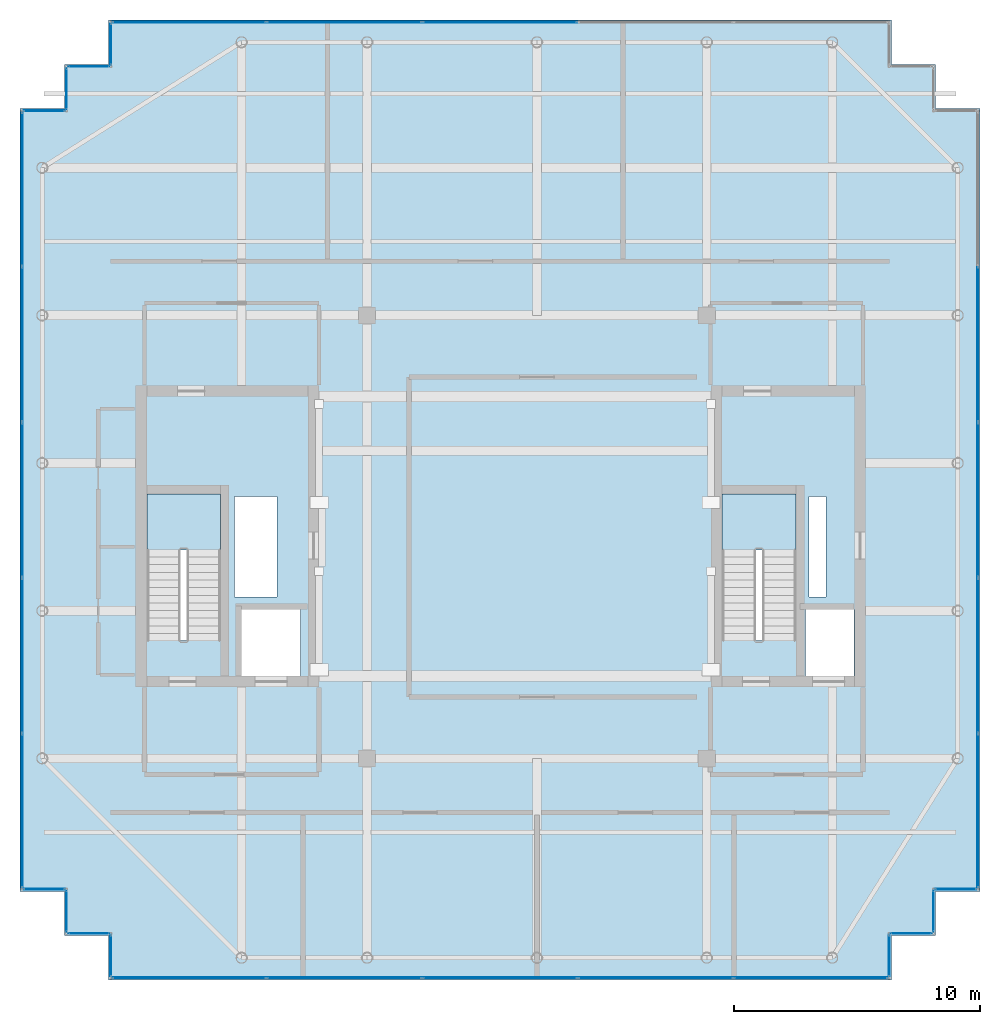
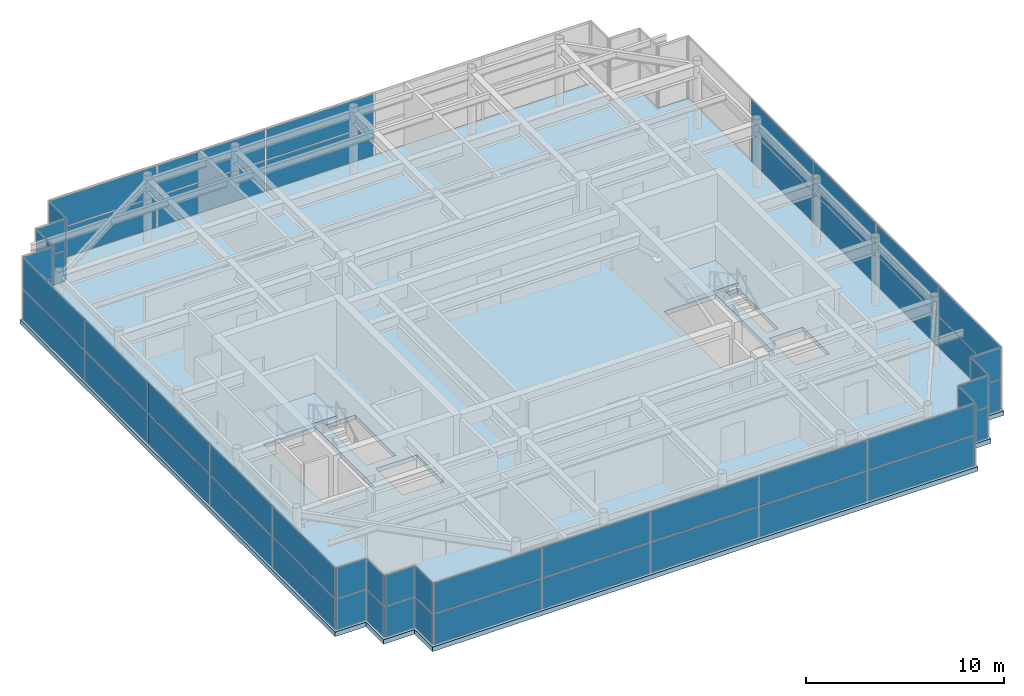
# One storey, part 29 of 32: 58 plates, 3 slabs, 18 elements without a shape of their own.
"""IFC4 building model written with IfcOpenShell, lengths in metres."""

from ifc_helpers import new_model, si_unit, direction, frame, origin, origin_2d, place, context, subcontext, project, spatial, polyline, rectangle, outline, extrude, source, transform, mapped, material, layer, layer_set, type_object, element, aggregate, save


model = new_model("IFC4")

# Units and contexts
model_context = context("Model", 3, precision=1e-05, world=origin(), true_north=direction((0.0, 1.0)))
body_context = subcontext(model_context, "Body", "Model", "MODEL_VIEW")
ifc_project = project(units=[si_unit("LENGTHUNIT", "METRE"), si_unit("AREAUNIT", "SQUARE_METRE"), si_unit("VOLUMEUNIT", "CUBIC_METRE"), si_unit("PLANEANGLEUNIT", "RADIAN"), si_unit("MASSUNIT", "GRAM", prefix="KILO")], contexts=[model_context])

# Site, building, storey
site_placement = place(None, origin())
site = spatial("IfcSite", under=ifc_project, at=site_placement, CompositionType="ELEMENT")
building_placement = place(site_placement, origin())
building = spatial("IfcBuilding", under=site, at=building_placement, Name="Khoralis Quay Care Tower", CompositionType="ELEMENT")
storey_placement = place(building_placement, frame((0.0, 0.0, 310.5)))
storey = spatial("IfcBuildingStorey", under=building, at=storey_placement, Name="L81", CompositionType="ELEMENT", Elevation=310.5)

# Stair, slab
ifc_material_1 = material(Name="Precast concrete C45/55", Category="concrete")
stair_type = type_object("IfcStairType", Name="ST-TWR-DOGLEG-1400", PredefinedType="HALF_TURN_STAIR", material=ifc_material_1)
stair_1_placement = place(storey_placement, origin())
stair_1 = element("IfcStair", 1, at=stair_1_placement, inside=storey, type_object=stair_type, Name="L81 West Core Exit Stair ST-T1", PredefinedType="HALF_TURN_STAIR")
ifc_layer_1 = layer(ifc_material_1, 0.199951171875)
ifc_layer_set_1 = layer_set([ifc_layer_1], Name="Precast concrete C45/55")
slab_type_1 = type_object("IfcSlabType", Name="SLB-LANDING-200", PredefinedType="LANDING", material=ifc_layer_set_1)
slab_1_placement = place(storey_placement, frame((0.0, 0.0, 1.89990234375)))
slab_1 = element("IfcSlab", 2, at=slab_1_placement, type_object=slab_type_1, Name="ST-T1 landing 1", PredefinedType="LANDING", context=body_context, shape_type="SweptSolid", body=[
    extrude(outline(polyline([(11.14990234375, 20.4599609375), (11.14990234375, 22.75), (8.14990234375, 22.75), (8.14990234375, 20.4599609375), (11.14990234375, 20.4599609375)])), origin(), (0.0, 0.0, 1.0), 0.2001953125),
])
aggregate(stair_1, [slab_1])

stair_2_placement = place(storey_placement, origin())
stair_2 = element("IfcStair", 3, at=stair_2_placement, inside=storey, type_object=stair_type, Name="L81 East Core Exit Stair ST-T2", PredefinedType="HALF_TURN_STAIR")
slab_2_placement = place(storey_placement, frame((0.0, 0.0, 1.89990234375)))
slab_2 = element("IfcSlab", 4, at=slab_2_placement, type_object=slab_type_1, Name="ST-T2 landing 1", PredefinedType="LANDING", context=body_context, shape_type="SweptSolid", body=[
    extrude(outline(polyline([(34.52001953125, 20.4599609375), (34.52001953125, 22.75), (31.52001953125, 22.75), (31.52001953125, 20.4599609375), (34.52001953125, 20.4599609375)])), origin(), (0.0, 0.0, 1.0), 0.2001953125),
])
aggregate(stair_2, [slab_2])

# Slab
ifc_material_2 = material(Name="Concrete C40/50", Category="concrete")
ifc_layer_2 = layer(ifc_material_2, 0.280029296875)
ifc_layer_set_2 = layer_set([ifc_layer_2], Name="Concrete C40/50")
slab_type_2 = type_object("IfcSlabType", Name="SLB-TWR-280", PredefinedType="FLOOR", material=ifc_layer_set_2)
slab_3_placement = place(storey_placement, frame((0.0, 0.0, -0.280029296875)))
element("IfcSlab", 5, at=slab_3_placement, inside=storey, type_object=slab_type_2, Name="Tower Floor Slab L81", PredefinedType="FLOOR", context=body_context, shape_type="SweptSolid", body=[
    extrude(outline(polyline([(6.60009765625, 3.0), (38.39990234375, 3.0), (38.39990234375, 4.800048828125), (40.199951171875, 4.800048828125), (40.199951171875, 6.60009765625), (42.0, 6.60009765625), (42.0, 38.39990234375), (40.199951171875, 38.39990234375), (40.199951171875, 40.199951171875), (38.39990234375, 40.199951171875), (38.39990234375, 42.0), (6.60009765625, 42.0), (6.60009765625, 40.199951171875), (4.800048828125, 40.199951171875), (4.800048828125, 38.39990234375), (3.0, 38.39990234375), (3.0, 6.60009765625), (4.800048828125, 6.60009765625), (4.800048828125, 4.800048828125), (6.60009765625, 4.800048828125), (6.60009765625, 3.0)]), holes=[polyline([(11.14990234375, 16.800048828125), (11.14990234375, 22.75), (8.14990234375, 22.75), (8.14990234375, 16.800048828125), (11.14990234375, 16.800048828125)]), polyline([(34.52001953125, 16.800048828125), (34.52001953125, 22.75), (31.52001953125, 22.75), (31.52001953125, 16.800048828125), (34.52001953125, 16.800048828125)]), polyline([(12.0, 15.35009765625), (14.39990234375, 15.35009765625), (14.39990234375, 18.050048828125), (12.0, 18.050048828125), (12.0, 15.35009765625)]), polyline([(34.919921875, 15.35009765625), (36.8798828125, 15.35009765625), (36.8798828125, 18.050048828125), (34.919921875, 18.050048828125), (34.919921875, 15.35009765625)]), polyline([(11.719970703125, 18.550048828125), (13.449951171875, 18.550048828125), (13.449951171875, 22.64990234375), (11.719970703125, 22.64990234375), (11.719970703125, 18.550048828125)]), polyline([(35.050048828125, 18.550048828125), (35.75, 18.550048828125), (35.75, 22.64990234375), (35.050048828125, 22.64990234375), (35.050048828125, 18.550048828125)])]), origin(), (0.0, 0.0, 1.0), 0.280029296875),
])

# Curtain wall, plates
ifc_material_3 = material(Name="Pale anodised aluminium", Category="aluminium")
ifc_layer_3 = layer(ifc_material_3, 0.199951171875)
ifc_layer_set_3 = layer_set([ifc_layer_3], Name="Pale anodised aluminium")
curtain_wall_type = type_object("IfcCurtainWallType", Name="CW-SYS-LANTERN", PredefinedType="NOTDEFINED", material=ifc_layer_set_3)
curtain_wall_1_placement = place(storey_placement, origin())
curtain_wall_1 = element("IfcCurtainWall", 6, at=curtain_wall_1_placement, inside=storey, type_object=curtain_wall_type, Name="L81 Unitised Curtain Wall CW-LN-L81-01", PredefinedType="NOTDEFINED")
ifc_material_4 = material(Name="Low-iron clear lantern glazing", Category="glass")
ifc_layer_4 = layer(ifc_material_4, 0.035888671875)
ifc_layer_set_4 = layer_set([ifc_layer_4], Name="Low-iron clear lantern glazing")
plate_type = type_object("IfcPlateType", Name="PNL-LNT-36", PredefinedType="CURTAIN_PANEL", material=ifc_layer_set_4)
shared_shape_1 = source(origin(), body_context, "Body", "SweptSolid", [
    extrude(rectangle(XDim=6.23388671875, YDim=0.028076171875, at=origin_2d()), origin(), (0.0, 0.0, 1.0), 1.8701171875),
])
plate_1_placement = place(storey_placement, frame((9.866943359375, 3.090087890625, 0.06005859375), z_axis=(0.0, 0.0, 1.0), x_axis=(1.0, 0.0, 0.0)))
plate_1 = element("IfcPlate", 7, at=plate_1_placement, type_object=plate_type, Name="CW5 panel 1.1", PredefinedType="CURTAIN_PANEL", context=body_context, shape_type="MappedRepresentation", body=[
    mapped(shared_shape_1, transform((0.0, 0.0, 0.0), scale=1.0)),
])
plate_2_placement = place(storey_placement, frame((9.866943359375, 3.090087890625, 1.989990234375), z_axis=(0.0, 0.0, 1.0), x_axis=(1.0, 0.0, 0.0)))
plate_2 = element("IfcPlate", 8, at=plate_2_placement, type_object=plate_type, Name="CW5 panel 1.2", PredefinedType="CURTAIN_PANEL", context=body_context, shape_type="MappedRepresentation", body=[
    mapped(shared_shape_1, transform((0.0, 0.0, 0.0), scale=1.0)),
])
plate_3_placement = place(storey_placement, frame((35.133056640625, 3.090087890625, 0.06005859375), z_axis=(0.0, 0.0, 1.0), x_axis=(1.0, 0.0, 0.0)))
plate_3 = element("IfcPlate", 9, at=plate_3_placement, type_object=plate_type, Name="CW5 panel 5.1", PredefinedType="CURTAIN_PANEL", context=body_context, shape_type="MappedRepresentation", body=[
    mapped(shared_shape_1, transform((0.0, 0.0, 0.0), scale=1.0)),
])
plate_4_placement = place(storey_placement, frame((35.133056640625, 3.090087890625, 1.989990234375), z_axis=(0.0, 0.0, 1.0), x_axis=(1.0, 0.0, 0.0)))
plate_4 = element("IfcPlate", 10, at=plate_4_placement, type_object=plate_type, Name="CW5 panel 5.2", PredefinedType="CURTAIN_PANEL", context=body_context, shape_type="MappedRepresentation", body=[
    mapped(shared_shape_1, transform((0.0, 0.0, 0.0), scale=1.0)),
])

curtain_wall_2_placement = place(storey_placement, origin())
curtain_wall_2 = element("IfcCurtainWall", 11, at=curtain_wall_2_placement, inside=storey, type_object=curtain_wall_type, Name="L81 Unitised Curtain Wall CW-LN-L81-06", PredefinedType="NOTDEFINED")
plate_5_placement = place(storey_placement, frame((41.909912109375, 9.866943359375, 0.06005859375), z_axis=(0.0, 0.0, 1.0), x_axis=(0.0, 1.0, 0.0)))
plate_5 = element("IfcPlate", 12, at=plate_5_placement, type_object=plate_type, Name="CW5 panel 1.1", PredefinedType="CURTAIN_PANEL", context=body_context, shape_type="MappedRepresentation", body=[
    mapped(shared_shape_1, transform((0.0, 0.0, 0.0), scale=1.0)),
])
plate_6_placement = place(storey_placement, frame((41.909912109375, 9.866943359375, 1.989990234375), z_axis=(0.0, 0.0, 1.0), x_axis=(0.0, 1.0, 0.0)))
plate_6 = element("IfcPlate", 13, at=plate_6_placement, type_object=plate_type, Name="CW5 panel 1.2", PredefinedType="CURTAIN_PANEL", context=body_context, shape_type="MappedRepresentation", body=[
    mapped(shared_shape_1, transform((0.0, 0.0, 0.0), scale=1.0)),
])

curtain_wall_3_placement = place(storey_placement, origin())
curtain_wall_3 = element("IfcCurtainWall", 14, at=curtain_wall_3_placement, inside=storey, type_object=curtain_wall_type, Name="L81 Unitised Curtain Wall CW-LN-L81-11", PredefinedType="NOTDEFINED")
plate_7_placement = place(storey_placement, frame((9.866943359375, 41.909912109375, 0.06005859375), z_axis=(0.0, 0.0, 1.0), x_axis=(-1.0, 0.0, 0.0)))
plate_7 = element("IfcPlate", 15, at=plate_7_placement, type_object=plate_type, Name="CW5 panel 5.1", PredefinedType="CURTAIN_PANEL", context=body_context, shape_type="MappedRepresentation", body=[
    mapped(shared_shape_1, transform((0.0, 0.0, 0.0), scale=1.0)),
])
plate_8_placement = place(storey_placement, frame((9.866943359375, 41.909912109375, 1.989990234375), z_axis=(0.0, 0.0, 1.0), x_axis=(-1.0, 0.0, 0.0)))
plate_8 = element("IfcPlate", 16, at=plate_8_placement, type_object=plate_type, Name="CW5 panel 5.2", PredefinedType="CURTAIN_PANEL", context=body_context, shape_type="MappedRepresentation", body=[
    mapped(shared_shape_1, transform((0.0, 0.0, 0.0), scale=1.0)),
])

curtain_wall_4_placement = place(storey_placement, origin())
curtain_wall_4 = element("IfcCurtainWall", 17, at=curtain_wall_4_placement, inside=storey, type_object=curtain_wall_type, Name="L81 Unitised Curtain Wall CW-LN-L81-16", PredefinedType="NOTDEFINED")
plate_9_placement = place(storey_placement, frame((3.090087890625, 35.133056640625, 0.06005859375), z_axis=(0.0, 0.0, 1.0), x_axis=(0.0, -1.0, 0.0)))
plate_9 = element("IfcPlate", 18, at=plate_9_placement, type_object=plate_type, Name="CW5 panel 1.1", PredefinedType="CURTAIN_PANEL", context=body_context, shape_type="MappedRepresentation", body=[
    mapped(shared_shape_1, transform((0.0, 0.0, 0.0), scale=1.0)),
])
plate_10_placement = place(storey_placement, frame((3.090087890625, 35.133056640625, 1.989990234375), z_axis=(0.0, 0.0, 1.0), x_axis=(0.0, -1.0, 0.0)))
plate_10 = element("IfcPlate", 19, at=plate_10_placement, type_object=plate_type, Name="CW5 panel 1.2", PredefinedType="CURTAIN_PANEL", context=body_context, shape_type="MappedRepresentation", body=[
    mapped(shared_shape_1, transform((0.0, 0.0, 0.0), scale=1.0)),
])
plate_11_placement = place(storey_placement, frame((3.090087890625, 9.866943359375, 0.06005859375), z_axis=(0.0, 0.0, 1.0), x_axis=(0.0, -1.0, 0.0)))
plate_11 = element("IfcPlate", 20, at=plate_11_placement, type_object=plate_type, Name="CW5 panel 5.1", PredefinedType="CURTAIN_PANEL", context=body_context, shape_type="MappedRepresentation", body=[
    mapped(shared_shape_1, transform((0.0, 0.0, 0.0), scale=1.0)),
])
plate_12_placement = place(storey_placement, frame((3.090087890625, 9.866943359375, 1.989990234375), z_axis=(0.0, 0.0, 1.0), x_axis=(0.0, -1.0, 0.0)))
plate_12 = element("IfcPlate", 21, at=plate_12_placement, type_object=plate_type, Name="CW5 panel 5.2", PredefinedType="CURTAIN_PANEL", context=body_context, shape_type="MappedRepresentation", body=[
    mapped(shared_shape_1, transform((0.0, 0.0, 0.0), scale=1.0)),
])

# Plate
shared_shape_2 = source(origin(), body_context, "Body", "SweptSolid", [
    extrude(rectangle(XDim=6.263916015625, YDim=0.028076171875, at=origin_2d()), origin(), (0.0, 0.0, 1.0), 1.8701171875),
])
plate_13_placement = place(storey_placement, frame((16.176025390625, 3.090087890625, 0.06005859375), z_axis=(0.0, 0.0, 1.0), x_axis=(1.0, 0.0, 0.0)))
plate_13 = element("IfcPlate", 22, at=plate_13_placement, type_object=plate_type, Name="CW5 panel 2.1", PredefinedType="CURTAIN_PANEL", context=body_context, shape_type="MappedRepresentation", body=[
    mapped(shared_shape_2, transform((0.0, 0.0, 0.0), scale=1.0)),
])

plate_14_placement = place(storey_placement, frame((16.176025390625, 3.090087890625, 1.989990234375), z_axis=(0.0, 0.0, 1.0), x_axis=(1.0, 0.0, 0.0)))
plate_14 = element("IfcPlate", 23, at=plate_14_placement, type_object=plate_type, Name="CW5 panel 2.2", PredefinedType="CURTAIN_PANEL", context=body_context, shape_type="MappedRepresentation", body=[
    mapped(shared_shape_2, transform((0.0, 0.0, 0.0), scale=1.0)),
])

plate_15_placement = place(storey_placement, frame((22.5, 3.090087890625, 0.06005859375), z_axis=(0.0, 0.0, 1.0), x_axis=(1.0, 0.0, 0.0)))
plate_15 = element("IfcPlate", 24, at=plate_15_placement, type_object=plate_type, Name="CW5 panel 3.1", PredefinedType="CURTAIN_PANEL", context=body_context, shape_type="MappedRepresentation", body=[
    mapped(shared_shape_2, transform((0.0, 0.0, 0.0), scale=1.0)),
])

plate_16_placement = place(storey_placement, frame((22.5, 3.090087890625, 1.989990234375), z_axis=(0.0, 0.0, 1.0), x_axis=(1.0, 0.0, 0.0)))
plate_16 = element("IfcPlate", 25, at=plate_16_placement, type_object=plate_type, Name="CW5 panel 3.2", PredefinedType="CURTAIN_PANEL", context=body_context, shape_type="MappedRepresentation", body=[
    mapped(shared_shape_2, transform((0.0, 0.0, 0.0), scale=1.0)),
])

plate_17_placement = place(storey_placement, frame((28.823974609375, 3.090087890625, 0.06005859375), z_axis=(0.0, 0.0, 1.0), x_axis=(1.0, 0.0, 0.0)))
plate_17 = element("IfcPlate", 26, at=plate_17_placement, type_object=plate_type, Name="CW5 panel 4.1", PredefinedType="CURTAIN_PANEL", context=body_context, shape_type="MappedRepresentation", body=[
    mapped(shared_shape_2, transform((0.0, 0.0, 0.0), scale=1.0)),
])

plate_18_placement = place(storey_placement, frame((28.823974609375, 3.090087890625, 1.989990234375), z_axis=(0.0, 0.0, 1.0), x_axis=(1.0, 0.0, 0.0)))
plate_18 = element("IfcPlate", 27, at=plate_18_placement, type_object=plate_type, Name="CW5 panel 4.2", PredefinedType="CURTAIN_PANEL", context=body_context, shape_type="MappedRepresentation", body=[
    mapped(shared_shape_2, transform((0.0, 0.0, 0.0), scale=1.0)),
])

aggregate(curtain_wall_1, [plate_1, plate_2, plate_13, plate_14, plate_15, plate_16, plate_17, plate_18, plate_3, plate_4])

plate_19_placement = place(storey_placement, frame((41.909912109375, 16.176025390625, 0.06005859375), z_axis=(0.0, 0.0, 1.0), x_axis=(0.0, 1.0, 0.0)))
plate_19 = element("IfcPlate", 28, at=plate_19_placement, type_object=plate_type, Name="CW5 panel 2.1", PredefinedType="CURTAIN_PANEL", context=body_context, shape_type="MappedRepresentation", body=[
    mapped(shared_shape_2, transform((0.0, 0.0, 0.0), scale=1.0)),
])

plate_20_placement = place(storey_placement, frame((41.909912109375, 16.176025390625, 1.989990234375), z_axis=(0.0, 0.0, 1.0), x_axis=(0.0, 1.0, 0.0)))
plate_20 = element("IfcPlate", 29, at=plate_20_placement, type_object=plate_type, Name="CW5 panel 2.2", PredefinedType="CURTAIN_PANEL", context=body_context, shape_type="MappedRepresentation", body=[
    mapped(shared_shape_2, transform((0.0, 0.0, 0.0), scale=1.0)),
])

plate_21_placement = place(storey_placement, frame((41.909912109375, 22.5, 0.06005859375), z_axis=(0.0, 0.0, 1.0), x_axis=(0.0, 1.0, 0.0)))
plate_21 = element("IfcPlate", 30, at=plate_21_placement, type_object=plate_type, Name="CW5 panel 3.1", PredefinedType="CURTAIN_PANEL", context=body_context, shape_type="MappedRepresentation", body=[
    mapped(shared_shape_2, transform((0.0, 0.0, 0.0), scale=1.0)),
])

plate_22_placement = place(storey_placement, frame((41.909912109375, 22.5, 1.989990234375), z_axis=(0.0, 0.0, 1.0), x_axis=(0.0, 1.0, 0.0)))
plate_22 = element("IfcPlate", 31, at=plate_22_placement, type_object=plate_type, Name="CW5 panel 3.2", PredefinedType="CURTAIN_PANEL", context=body_context, shape_type="MappedRepresentation", body=[
    mapped(shared_shape_2, transform((0.0, 0.0, 0.0), scale=1.0)),
])

plate_23_placement = place(storey_placement, frame((41.909912109375, 28.823974609375, 0.06005859375), z_axis=(0.0, 0.0, 1.0), x_axis=(0.0, 1.0, 0.0)))
plate_23 = element("IfcPlate", 32, at=plate_23_placement, type_object=plate_type, Name="CW5 panel 4.1", PredefinedType="CURTAIN_PANEL", context=body_context, shape_type="MappedRepresentation", body=[
    mapped(shared_shape_2, transform((0.0, 0.0, 0.0), scale=1.0)),
])

plate_24_placement = place(storey_placement, frame((41.909912109375, 28.823974609375, 1.989990234375), z_axis=(0.0, 0.0, 1.0), x_axis=(0.0, 1.0, 0.0)))
plate_24 = element("IfcPlate", 33, at=plate_24_placement, type_object=plate_type, Name="CW5 panel 4.2", PredefinedType="CURTAIN_PANEL", context=body_context, shape_type="MappedRepresentation", body=[
    mapped(shared_shape_2, transform((0.0, 0.0, 0.0), scale=1.0)),
])

aggregate(curtain_wall_2, [plate_5, plate_6, plate_19, plate_20, plate_21, plate_22, plate_23, plate_24])

plate_25_placement = place(storey_placement, frame((22.5, 41.909912109375, 0.06005859375), z_axis=(0.0, 0.0, 1.0), x_axis=(-1.0, 0.0, 0.0)))
plate_25 = element("IfcPlate", 34, at=plate_25_placement, type_object=plate_type, Name="CW5 panel 3.1", PredefinedType="CURTAIN_PANEL", context=body_context, shape_type="MappedRepresentation", body=[
    mapped(shared_shape_2, transform((0.0, 0.0, 0.0), scale=1.0)),
])

plate_26_placement = place(storey_placement, frame((22.5, 41.909912109375, 1.989990234375), z_axis=(0.0, 0.0, 1.0), x_axis=(-1.0, 0.0, 0.0)))
plate_26 = element("IfcPlate", 35, at=plate_26_placement, type_object=plate_type, Name="CW5 panel 3.2", PredefinedType="CURTAIN_PANEL", context=body_context, shape_type="MappedRepresentation", body=[
    mapped(shared_shape_2, transform((0.0, 0.0, 0.0), scale=1.0)),
])

plate_27_placement = place(storey_placement, frame((16.176025390625, 41.909912109375, 0.06005859375), z_axis=(0.0, 0.0, 1.0), x_axis=(-1.0, 0.0, 0.0)))
plate_27 = element("IfcPlate", 36, at=plate_27_placement, type_object=plate_type, Name="CW5 panel 4.1", PredefinedType="CURTAIN_PANEL", context=body_context, shape_type="MappedRepresentation", body=[
    mapped(shared_shape_2, transform((0.0, 0.0, 0.0), scale=1.0)),
])

plate_28_placement = place(storey_placement, frame((16.176025390625, 41.909912109375, 1.989990234375), z_axis=(0.0, 0.0, 1.0), x_axis=(-1.0, 0.0, 0.0)))
plate_28 = element("IfcPlate", 37, at=plate_28_placement, type_object=plate_type, Name="CW5 panel 4.2", PredefinedType="CURTAIN_PANEL", context=body_context, shape_type="MappedRepresentation", body=[
    mapped(shared_shape_2, transform((0.0, 0.0, 0.0), scale=1.0)),
])

aggregate(curtain_wall_3, [plate_25, plate_26, plate_27, plate_28, plate_7, plate_8])

plate_29_placement = place(storey_placement, frame((3.090087890625, 28.823974609375, 0.06005859375), z_axis=(0.0, 0.0, 1.0), x_axis=(0.0, -1.0, 0.0)))
plate_29 = element("IfcPlate", 38, at=plate_29_placement, type_object=plate_type, Name="CW5 panel 2.1", PredefinedType="CURTAIN_PANEL", context=body_context, shape_type="MappedRepresentation", body=[
    mapped(shared_shape_2, transform((0.0, 0.0, 0.0), scale=1.0)),
])

plate_30_placement = place(storey_placement, frame((3.090087890625, 28.823974609375, 1.989990234375), z_axis=(0.0, 0.0, 1.0), x_axis=(0.0, -1.0, 0.0)))
plate_30 = element("IfcPlate", 39, at=plate_30_placement, type_object=plate_type, Name="CW5 panel 2.2", PredefinedType="CURTAIN_PANEL", context=body_context, shape_type="MappedRepresentation", body=[
    mapped(shared_shape_2, transform((0.0, 0.0, 0.0), scale=1.0)),
])

plate_31_placement = place(storey_placement, frame((3.090087890625, 22.5, 0.06005859375), z_axis=(0.0, 0.0, 1.0), x_axis=(0.0, -1.0, 0.0)))
plate_31 = element("IfcPlate", 40, at=plate_31_placement, type_object=plate_type, Name="CW5 panel 3.1", PredefinedType="CURTAIN_PANEL", context=body_context, shape_type="MappedRepresentation", body=[
    mapped(shared_shape_2, transform((0.0, 0.0, 0.0), scale=1.0)),
])

plate_32_placement = place(storey_placement, frame((3.090087890625, 22.5, 1.989990234375), z_axis=(0.0, 0.0, 1.0), x_axis=(0.0, -1.0, 0.0)))
plate_32 = element("IfcPlate", 41, at=plate_32_placement, type_object=plate_type, Name="CW5 panel 3.2", PredefinedType="CURTAIN_PANEL", context=body_context, shape_type="MappedRepresentation", body=[
    mapped(shared_shape_2, transform((0.0, 0.0, 0.0), scale=1.0)),
])

plate_33_placement = place(storey_placement, frame((3.090087890625, 16.176025390625, 0.06005859375), z_axis=(0.0, 0.0, 1.0), x_axis=(0.0, -1.0, 0.0)))
plate_33 = element("IfcPlate", 42, at=plate_33_placement, type_object=plate_type, Name="CW5 panel 4.1", PredefinedType="CURTAIN_PANEL", context=body_context, shape_type="MappedRepresentation", body=[
    mapped(shared_shape_2, transform((0.0, 0.0, 0.0), scale=1.0)),
])

plate_34_placement = place(storey_placement, frame((3.090087890625, 16.176025390625, 1.989990234375), z_axis=(0.0, 0.0, 1.0), x_axis=(0.0, -1.0, 0.0)))
plate_34 = element("IfcPlate", 43, at=plate_34_placement, type_object=plate_type, Name="CW5 panel 4.2", PredefinedType="CURTAIN_PANEL", context=body_context, shape_type="MappedRepresentation", body=[
    mapped(shared_shape_2, transform((0.0, 0.0, 0.0), scale=1.0)),
])

aggregate(curtain_wall_4, [plate_9, plate_10, plate_29, plate_30, plate_31, plate_32, plate_33, plate_34, plate_11, plate_12])

# Curtain wall, plates
curtain_wall_5_placement = place(storey_placement, origin())
curtain_wall_5 = element("IfcCurtainWall", 44, at=curtain_wall_5_placement, inside=storey, type_object=curtain_wall_type, Name="L81 Unitised Curtain Wall CW-LN-L81-02", PredefinedType="NOTDEFINED")
shared_shape_3 = source(origin(), body_context, "Body", "SweptSolid", [
    extrude(rectangle(XDim=1.679931640625, YDim=0.028076171875, at=origin_2d()), origin(), (0.0, 0.0, 1.0), 1.8701171875),
])
plate_35_placement = place(storey_placement, frame((38.31005859375, 3.989990234375, 0.06005859375), z_axis=(0.0, 0.0, 1.0), x_axis=(0.0, 1.0, 0.0)))
plate_35 = element("IfcPlate", 45, at=plate_35_placement, type_object=plate_type, Name="CW5 panel 1.1", PredefinedType="CURTAIN_PANEL", context=body_context, shape_type="MappedRepresentation", body=[
    mapped(shared_shape_3, transform((0.0, 0.0, 0.0), scale=1.0)),
])
plate_36_placement = place(storey_placement, frame((38.31005859375, 3.989990234375, 1.989990234375), z_axis=(0.0, 0.0, 1.0), x_axis=(0.0, 1.0, 0.0)))
plate_36 = element("IfcPlate", 46, at=plate_36_placement, type_object=plate_type, Name="CW5 panel 1.2", PredefinedType="CURTAIN_PANEL", context=body_context, shape_type="MappedRepresentation", body=[
    mapped(shared_shape_3, transform((0.0, 0.0, 0.0), scale=1.0)),
])
aggregate(curtain_wall_5, [plate_35, plate_36])

curtain_wall_6_placement = place(storey_placement, origin())
curtain_wall_6 = element("IfcCurtainWall", 47, at=curtain_wall_6_placement, inside=storey, type_object=curtain_wall_type, Name="L81 Unitised Curtain Wall CW-LN-L81-03", PredefinedType="NOTDEFINED")
plate_37_placement = place(storey_placement, frame((39.2099609375, 4.889892578125, 0.06005859375), z_axis=(0.0, 0.0, 1.0), x_axis=(1.0, 0.0, 0.0)))
plate_37 = element("IfcPlate", 48, at=plate_37_placement, type_object=plate_type, Name="CW5 panel 1.1", PredefinedType="CURTAIN_PANEL", context=body_context, shape_type="MappedRepresentation", body=[
    mapped(shared_shape_3, transform((0.0, 0.0, 0.0), scale=1.0)),
])
plate_38_placement = place(storey_placement, frame((39.2099609375, 4.889892578125, 1.989990234375), z_axis=(0.0, 0.0, 1.0), x_axis=(1.0, 0.0, 0.0)))
plate_38 = element("IfcPlate", 49, at=plate_38_placement, type_object=plate_type, Name="CW5 panel 1.2", PredefinedType="CURTAIN_PANEL", context=body_context, shape_type="MappedRepresentation", body=[
    mapped(shared_shape_3, transform((0.0, 0.0, 0.0), scale=1.0)),
])
aggregate(curtain_wall_6, [plate_37, plate_38])

curtain_wall_7_placement = place(storey_placement, origin())
curtain_wall_7 = element("IfcCurtainWall", 50, at=curtain_wall_7_placement, inside=storey, type_object=curtain_wall_type, Name="L81 Unitised Curtain Wall CW-LN-L81-04", PredefinedType="NOTDEFINED")
plate_39_placement = place(storey_placement, frame((40.110107421875, 5.7900390625, 0.06005859375), z_axis=(0.0, 0.0, 1.0), x_axis=(0.0, 1.0, 0.0)))
plate_39 = element("IfcPlate", 51, at=plate_39_placement, type_object=plate_type, Name="CW5 panel 1.1", PredefinedType="CURTAIN_PANEL", context=body_context, shape_type="MappedRepresentation", body=[
    mapped(shared_shape_3, transform((0.0, 0.0, 0.0), scale=1.0)),
])
plate_40_placement = place(storey_placement, frame((40.110107421875, 5.7900390625, 1.989990234375), z_axis=(0.0, 0.0, 1.0), x_axis=(0.0, 1.0, 0.0)))
plate_40 = element("IfcPlate", 52, at=plate_40_placement, type_object=plate_type, Name="CW5 panel 1.2", PredefinedType="CURTAIN_PANEL", context=body_context, shape_type="MappedRepresentation", body=[
    mapped(shared_shape_3, transform((0.0, 0.0, 0.0), scale=1.0)),
])
aggregate(curtain_wall_7, [plate_39, plate_40])

curtain_wall_8_placement = place(storey_placement, origin())
curtain_wall_8 = element("IfcCurtainWall", 53, at=curtain_wall_8_placement, inside=storey, type_object=curtain_wall_type, Name="L81 Unitised Curtain Wall CW-LN-L81-05", PredefinedType="NOTDEFINED")
plate_41_placement = place(storey_placement, frame((41.010009765625, 6.68994140625, 0.06005859375), z_axis=(0.0, 0.0, 1.0), x_axis=(1.0, 0.0, 0.0)))
plate_41 = element("IfcPlate", 54, at=plate_41_placement, type_object=plate_type, Name="CW5 panel 1.1", PredefinedType="CURTAIN_PANEL", context=body_context, shape_type="MappedRepresentation", body=[
    mapped(shared_shape_3, transform((0.0, 0.0, 0.0), scale=1.0)),
])
plate_42_placement = place(storey_placement, frame((41.010009765625, 6.68994140625, 1.989990234375), z_axis=(0.0, 0.0, 1.0), x_axis=(1.0, 0.0, 0.0)))
plate_42 = element("IfcPlate", 55, at=plate_42_placement, type_object=plate_type, Name="CW5 panel 1.2", PredefinedType="CURTAIN_PANEL", context=body_context, shape_type="MappedRepresentation", body=[
    mapped(shared_shape_3, transform((0.0, 0.0, 0.0), scale=1.0)),
])
aggregate(curtain_wall_8, [plate_41, plate_42])

curtain_wall_9_placement = place(storey_placement, origin())
curtain_wall_9 = element("IfcCurtainWall", 56, at=curtain_wall_9_placement, inside=storey, type_object=curtain_wall_type, Name="L81 Unitised Curtain Wall CW-LN-L81-12", PredefinedType="NOTDEFINED")
plate_43_placement = place(storey_placement, frame((6.68994140625, 41.010009765625, 0.06005859375), z_axis=(0.0, 0.0, 1.0), x_axis=(0.0, -1.0, 0.0)))
plate_43 = element("IfcPlate", 57, at=plate_43_placement, type_object=plate_type, Name="CW5 panel 1.1", PredefinedType="CURTAIN_PANEL", context=body_context, shape_type="MappedRepresentation", body=[
    mapped(shared_shape_3, transform((0.0, 0.0, 0.0), scale=1.0)),
])
plate_44_placement = place(storey_placement, frame((6.68994140625, 41.010009765625, 1.989990234375), z_axis=(0.0, 0.0, 1.0), x_axis=(0.0, -1.0, 0.0)))
plate_44 = element("IfcPlate", 58, at=plate_44_placement, type_object=plate_type, Name="CW5 panel 1.2", PredefinedType="CURTAIN_PANEL", context=body_context, shape_type="MappedRepresentation", body=[
    mapped(shared_shape_3, transform((0.0, 0.0, 0.0), scale=1.0)),
])
aggregate(curtain_wall_9, [plate_43, plate_44])

curtain_wall_10_placement = place(storey_placement, origin())
curtain_wall_10 = element("IfcCurtainWall", 59, at=curtain_wall_10_placement, inside=storey, type_object=curtain_wall_type, Name="L81 Unitised Curtain Wall CW-LN-L81-13", PredefinedType="NOTDEFINED")
plate_45_placement = place(storey_placement, frame((5.7900390625, 40.110107421875, 0.06005859375), z_axis=(0.0, 0.0, 1.0), x_axis=(-1.0, 0.0, 0.0)))
plate_45 = element("IfcPlate", 60, at=plate_45_placement, type_object=plate_type, Name="CW5 panel 1.1", PredefinedType="CURTAIN_PANEL", context=body_context, shape_type="MappedRepresentation", body=[
    mapped(shared_shape_3, transform((0.0, 0.0, 0.0), scale=1.0)),
])
plate_46_placement = place(storey_placement, frame((5.7900390625, 40.110107421875, 1.989990234375), z_axis=(0.0, 0.0, 1.0), x_axis=(-1.0, 0.0, 0.0)))
plate_46 = element("IfcPlate", 61, at=plate_46_placement, type_object=plate_type, Name="CW5 panel 1.2", PredefinedType="CURTAIN_PANEL", context=body_context, shape_type="MappedRepresentation", body=[
    mapped(shared_shape_3, transform((0.0, 0.0, 0.0), scale=1.0)),
])
aggregate(curtain_wall_10, [plate_45, plate_46])

curtain_wall_11_placement = place(storey_placement, origin())
curtain_wall_11 = element("IfcCurtainWall", 62, at=curtain_wall_11_placement, inside=storey, type_object=curtain_wall_type, Name="L81 Unitised Curtain Wall CW-LN-L81-14", PredefinedType="NOTDEFINED")
plate_47_placement = place(storey_placement, frame((4.889892578125, 39.2099609375, 0.06005859375), z_axis=(0.0, 0.0, 1.0), x_axis=(0.0, -1.0, 0.0)))
plate_47 = element("IfcPlate", 63, at=plate_47_placement, type_object=plate_type, Name="CW5 panel 1.1", PredefinedType="CURTAIN_PANEL", context=body_context, shape_type="MappedRepresentation", body=[
    mapped(shared_shape_3, transform((0.0, 0.0, 0.0), scale=1.0)),
])
plate_48_placement = place(storey_placement, frame((4.889892578125, 39.2099609375, 1.989990234375), z_axis=(0.0, 0.0, 1.0), x_axis=(0.0, -1.0, 0.0)))
plate_48 = element("IfcPlate", 64, at=plate_48_placement, type_object=plate_type, Name="CW5 panel 1.2", PredefinedType="CURTAIN_PANEL", context=body_context, shape_type="MappedRepresentation", body=[
    mapped(shared_shape_3, transform((0.0, 0.0, 0.0), scale=1.0)),
])
aggregate(curtain_wall_11, [plate_47, plate_48])

curtain_wall_12_placement = place(storey_placement, origin())
curtain_wall_12 = element("IfcCurtainWall", 65, at=curtain_wall_12_placement, inside=storey, type_object=curtain_wall_type, Name="L81 Unitised Curtain Wall CW-LN-L81-15", PredefinedType="NOTDEFINED")
plate_49_placement = place(storey_placement, frame((3.989990234375, 38.31005859375, 0.06005859375), z_axis=(0.0, 0.0, 1.0), x_axis=(-1.0, 0.0, 0.0)))
plate_49 = element("IfcPlate", 66, at=plate_49_placement, type_object=plate_type, Name="CW5 panel 1.1", PredefinedType="CURTAIN_PANEL", context=body_context, shape_type="MappedRepresentation", body=[
    mapped(shared_shape_3, transform((0.0, 0.0, 0.0), scale=1.0)),
])
plate_50_placement = place(storey_placement, frame((3.989990234375, 38.31005859375, 1.989990234375), z_axis=(0.0, 0.0, 1.0), x_axis=(-1.0, 0.0, 0.0)))
plate_50 = element("IfcPlate", 67, at=plate_50_placement, type_object=plate_type, Name="CW5 panel 1.2", PredefinedType="CURTAIN_PANEL", context=body_context, shape_type="MappedRepresentation", body=[
    mapped(shared_shape_3, transform((0.0, 0.0, 0.0), scale=1.0)),
])
aggregate(curtain_wall_12, [plate_49, plate_50])

curtain_wall_13_placement = place(storey_placement, origin())
curtain_wall_13 = element("IfcCurtainWall", 68, at=curtain_wall_13_placement, inside=storey, type_object=curtain_wall_type, Name="L81 Unitised Curtain Wall CW-LN-L81-17", PredefinedType="NOTDEFINED")
plate_51_placement = place(storey_placement, frame((3.989990234375, 6.68994140625, 0.06005859375), z_axis=(0.0, 0.0, 1.0), x_axis=(1.0, 0.0, 0.0)))
plate_51 = element("IfcPlate", 69, at=plate_51_placement, type_object=plate_type, Name="CW5 panel 1.1", PredefinedType="CURTAIN_PANEL", context=body_context, shape_type="MappedRepresentation", body=[
    mapped(shared_shape_3, transform((0.0, 0.0, 0.0), scale=1.0)),
])
plate_52_placement = place(storey_placement, frame((3.989990234375, 6.68994140625, 1.989990234375), z_axis=(0.0, 0.0, 1.0), x_axis=(1.0, 0.0, 0.0)))
plate_52 = element("IfcPlate", 70, at=plate_52_placement, type_object=plate_type, Name="CW5 panel 1.2", PredefinedType="CURTAIN_PANEL", context=body_context, shape_type="MappedRepresentation", body=[
    mapped(shared_shape_3, transform((0.0, 0.0, 0.0), scale=1.0)),
])
aggregate(curtain_wall_13, [plate_51, plate_52])

curtain_wall_14_placement = place(storey_placement, origin())
curtain_wall_14 = element("IfcCurtainWall", 71, at=curtain_wall_14_placement, inside=storey, type_object=curtain_wall_type, Name="L81 Unitised Curtain Wall CW-LN-L81-18", PredefinedType="NOTDEFINED")
plate_53_placement = place(storey_placement, frame((4.889892578125, 5.7900390625, 0.06005859375), z_axis=(0.0, 0.0, 1.0), x_axis=(0.0, -1.0, 0.0)))
plate_53 = element("IfcPlate", 72, at=plate_53_placement, type_object=plate_type, Name="CW5 panel 1.1", PredefinedType="CURTAIN_PANEL", context=body_context, shape_type="MappedRepresentation", body=[
    mapped(shared_shape_3, transform((0.0, 0.0, 0.0), scale=1.0)),
])
plate_54_placement = place(storey_placement, frame((4.889892578125, 5.7900390625, 1.989990234375), z_axis=(0.0, 0.0, 1.0), x_axis=(0.0, -1.0, 0.0)))
plate_54 = element("IfcPlate", 73, at=plate_54_placement, type_object=plate_type, Name="CW5 panel 1.2", PredefinedType="CURTAIN_PANEL", context=body_context, shape_type="MappedRepresentation", body=[
    mapped(shared_shape_3, transform((0.0, 0.0, 0.0), scale=1.0)),
])
aggregate(curtain_wall_14, [plate_53, plate_54])

curtain_wall_15_placement = place(storey_placement, origin())
curtain_wall_15 = element("IfcCurtainWall", 74, at=curtain_wall_15_placement, inside=storey, type_object=curtain_wall_type, Name="L81 Unitised Curtain Wall CW-LN-L81-19", PredefinedType="NOTDEFINED")
plate_55_placement = place(storey_placement, frame((5.7900390625, 4.889892578125, 0.06005859375), z_axis=(0.0, 0.0, 1.0), x_axis=(1.0, 0.0, 0.0)))
plate_55 = element("IfcPlate", 75, at=plate_55_placement, type_object=plate_type, Name="CW5 panel 1.1", PredefinedType="CURTAIN_PANEL", context=body_context, shape_type="MappedRepresentation", body=[
    mapped(shared_shape_3, transform((0.0, 0.0, 0.0), scale=1.0)),
])
plate_56_placement = place(storey_placement, frame((5.7900390625, 4.889892578125, 1.989990234375), z_axis=(0.0, 0.0, 1.0), x_axis=(1.0, 0.0, 0.0)))
plate_56 = element("IfcPlate", 76, at=plate_56_placement, type_object=plate_type, Name="CW5 panel 1.2", PredefinedType="CURTAIN_PANEL", context=body_context, shape_type="MappedRepresentation", body=[
    mapped(shared_shape_3, transform((0.0, 0.0, 0.0), scale=1.0)),
])
aggregate(curtain_wall_15, [plate_55, plate_56])

curtain_wall_16_placement = place(storey_placement, origin())
curtain_wall_16 = element("IfcCurtainWall", 77, at=curtain_wall_16_placement, inside=storey, type_object=curtain_wall_type, Name="L81 Unitised Curtain Wall CW-LN-L81-20", PredefinedType="NOTDEFINED")
plate_57_placement = place(storey_placement, frame((6.68994140625, 3.989990234375, 0.06005859375), z_axis=(0.0, 0.0, 1.0), x_axis=(0.0, -1.0, 0.0)))
plate_57 = element("IfcPlate", 78, at=plate_57_placement, type_object=plate_type, Name="CW5 panel 1.1", PredefinedType="CURTAIN_PANEL", context=body_context, shape_type="MappedRepresentation", body=[
    mapped(shared_shape_3, transform((0.0, 0.0, 0.0), scale=1.0)),
])
plate_58_placement = place(storey_placement, frame((6.68994140625, 3.989990234375, 1.989990234375), z_axis=(0.0, 0.0, 1.0), x_axis=(0.0, -1.0, 0.0)))
plate_58 = element("IfcPlate", 79, at=plate_58_placement, type_object=plate_type, Name="CW5 panel 1.2", PredefinedType="CURTAIN_PANEL", context=body_context, shape_type="MappedRepresentation", body=[
    mapped(shared_shape_3, transform((0.0, 0.0, 0.0), scale=1.0)),
])
aggregate(curtain_wall_16, [plate_57, plate_58])

save(model, "model.ifc")
